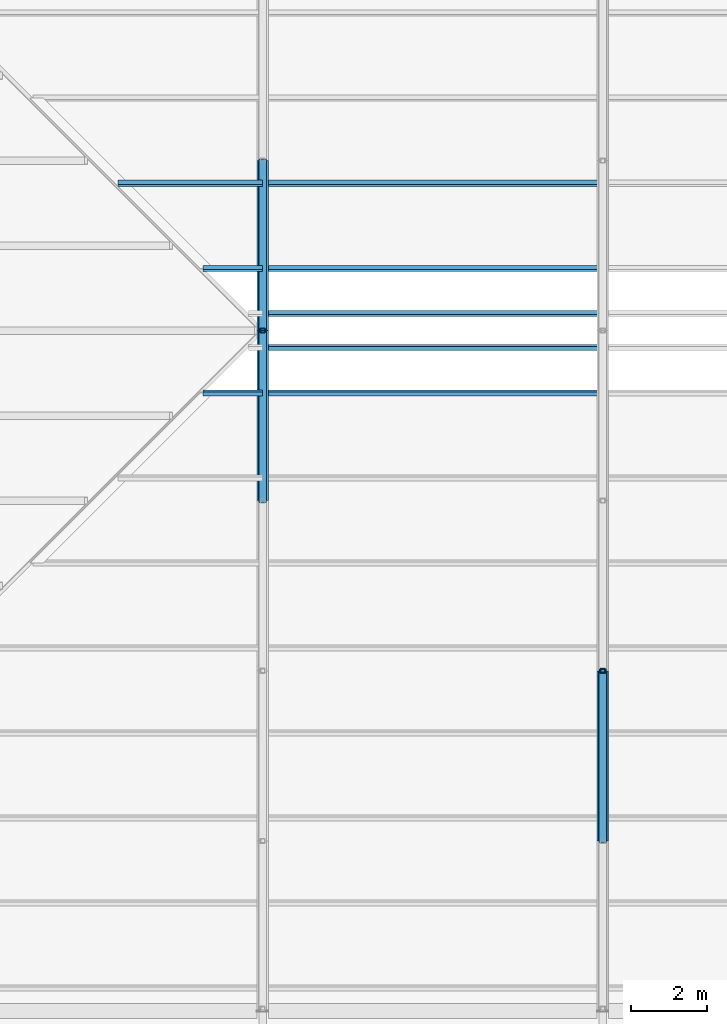
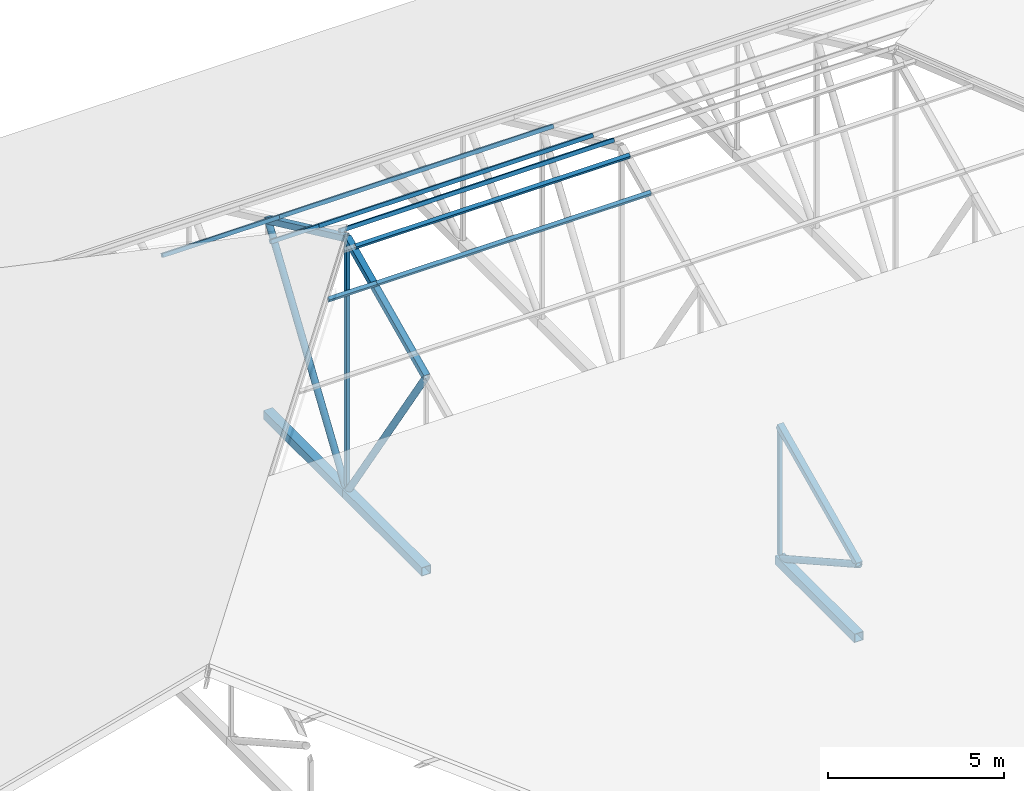
# One storey, part 63 of 154: 19 members.
"""IFC4 building model written with IfcOpenShell, lengths in metres."""

from ifc_helpers import new_model, si_unit, direction, frame, origin, origin_2d, place, context, subcontext, project, spatial, hollow_rectangle, hollow_circle, extrude, material, material_profile, profile_set, type_object, element, save


model = new_model("IFC4")

# Units and contexts
model_context = context("Model", 3, precision=1e-05, world=origin(), true_north=direction((0.0, 1.0)))
body_context = subcontext(model_context, "Body", "Model", "MODEL_VIEW")
ifc_project = project(units=[si_unit("LENGTHUNIT", "METRE"), si_unit("AREAUNIT", "SQUARE_METRE"), si_unit("VOLUMEUNIT", "CUBIC_METRE"), si_unit("PLANEANGLEUNIT", "RADIAN"), si_unit("MASSUNIT", "GRAM", prefix="KILO")], contexts=[model_context])

# Site, building, storey
site_placement = place(None, origin())
site = spatial("IfcSite", under=ifc_project, at=site_placement, CompositionType="ELEMENT")
building_placement = place(site_placement, origin())
building = spatial("IfcBuilding", under=site, at=building_placement, Name="Golden Quay Civic Hall", CompositionType="ELEMENT")
storey_placement = place(building_placement, frame((0.0, 0.0, 14.39990234375)))
storey = spatial("IfcBuildingStorey", under=building, at=storey_placement, Name="L03", CompositionType="ELEMENT", Elevation=14.39990234375)

# Members
ifc_material_1 = material(Name="Steel S355", Category="steel")
ifc_material_profile_1 = material_profile(ifc_material_1, hollow_rectangle(XDim=0.1201171875, YDim=0.1201171875, WallThickness=0.008056640625, at=origin_2d()), Name="SHS 120x120x8")
ifc_profile_set_1 = profile_set([ifc_material_profile_1], Name="Steel S355")
member_type_1 = type_object("IfcMemberType", Name="Steel roof purlin SHS 120x120x8", PredefinedType="PURLIN", material=ifc_profile_set_1)
member_1_placement = place(storey_placement, frame((133.425048828125, 79.35009765625, 8.128662109375), z_axis=(1.0, 0.0, 0.0), x_axis=(0.0, 0.906307787037, 0.422618261741)))
element("IfcMember", 1, at=member_1_placement, inside=storey, type_object=member_type_1, Name="Purlin south 9-1 L03", PredefinedType="PURLIN", context=body_context, shape_type="SweptSolid", body=[
    extrude(hollow_rectangle(XDim=0.1201171875, YDim=0.1201171875, WallThickness=0.008056640625, at=origin_2d()), origin(), (0.0, 0.0, 1.0), 1.574951171875),
])
for number, where, z_axis, x_axis, name in (
    (2, (135.0, 79.35009765625, 8.128662109375), (1.0, 0.0, 0.0), (0.0, 0.906307787037, 0.422618261741), "Purlin south 9-2 L03"),
    (3, (135.0, 80.550048828125, 8.688232421875), (1.0, 0.0, 0.0), (0.0, 0.906307787037, 0.422618261741), "Purlin south 10-2 L03"),
):
    element("IfcMember", number, at=place(storey_placement, frame(where, z_axis=z_axis, x_axis=x_axis)), inside=storey, type_object=member_type_1, Name=name, PredefinedType="PURLIN", context=body_context, shape_type="SweptSolid", body=[
        extrude(hollow_rectangle(XDim=0.1201171875, YDim=0.1201171875, WallThickness=0.008056640625, at=origin_2d()), origin(), (0.0, 0.0, 1.0), 9.0),
    ])
member_2_placement = place(storey_placement, frame((131.175048828125, 84.89990234375, 7.07958984375), z_axis=(1.0, 0.0, 0.0), x_axis=(0.0, 0.906307787037, -0.422618261741)))
element("IfcMember", 4, at=member_2_placement, inside=storey, type_object=member_type_1, Name="Purlin north 8-1 L03", PredefinedType="PURLIN", context=body_context, shape_type="SweptSolid", body=[
    extrude(hollow_rectangle(XDim=0.1201171875, YDim=0.1201171875, WallThickness=0.008056640625, at=origin_2d()), origin(), (0.0, 0.0, 1.0), 3.824951171875),
])
member_3_placement = place(storey_placement, frame((135.0, 84.89990234375, 7.07958984375), z_axis=(1.0, 0.0, 0.0), x_axis=(0.0, 0.906307787037, -0.422618261741)))
element("IfcMember", 5, at=member_3_placement, inside=storey, type_object=member_type_1, Name="Purlin north 8-2 L03", PredefinedType="PURLIN", context=body_context, shape_type="SweptSolid", body=[
    extrude(hollow_rectangle(XDim=0.1201171875, YDim=0.1201171875, WallThickness=0.008056640625, at=origin_2d()), origin(), (0.0, 0.0, 1.0), 9.0),
])
member_4_placement = place(storey_placement, frame((133.425048828125, 82.64990234375, 8.128662109375), z_axis=(1.0, 0.0, 0.0), x_axis=(0.0, 0.906307787037, -0.422618261741)))
element("IfcMember", 6, at=member_4_placement, inside=storey, type_object=member_type_1, Name="Purlin north 9-1 L03", PredefinedType="PURLIN", context=body_context, shape_type="SweptSolid", body=[
    extrude(hollow_rectangle(XDim=0.1201171875, YDim=0.1201171875, WallThickness=0.008056640625, at=origin_2d()), origin(), (0.0, 0.0, 1.0), 1.574951171875),
])
for number, where, z_axis, x_axis, name in (
    (7, (135.0, 82.64990234375, 8.128662109375), (1.0, 0.0, 0.0), (0.0, 0.906307787037, -0.422618261741), "Purlin north 9-2 L03"),
    (8, (135.0, 81.449951171875, 8.688232421875), (1.0, 0.0, 0.0), (0.0, 0.906307787037, -0.422618261741), "Purlin north 10-2 L03"),
):
    element("IfcMember", number, at=place(storey_placement, frame(where, z_axis=z_axis, x_axis=x_axis)), inside=storey, type_object=member_type_1, Name=name, PredefinedType="PURLIN", context=body_context, shape_type="SweptSolid", body=[
        extrude(hollow_rectangle(XDim=0.1201171875, YDim=0.1201171875, WallThickness=0.008056640625, at=origin_2d()), origin(), (0.0, 0.0, 1.0), 9.0),
    ])
ifc_material_2 = material(Name="Steel S355", Category="steel")
ifc_material_profile_2 = material_profile(ifc_material_2, hollow_rectangle(XDim=0.300048828125, YDim=0.300048828125, WallThickness=0.01611328125, at=origin_2d()), Name="SHS 300x300x16")
ifc_profile_set_2 = profile_set([ifc_material_profile_2], Name="Steel S355")
member_type_2 = type_object("IfcMemberType", Name="Steel truss bottom chord SHS 300x300x16", PredefinedType="USERDEFINED", material=ifc_profile_set_2)
for number, where, z_axis, x_axis, name in (
    (9, (135.0, 76.5, -0.099853515625), (0.0, 1.0, 0.0), (-1.0, 0.0, 0.0), "Truss 135 bottom chord 4 L03"),
    (10, (135.0, 81.0, -0.099853515625), (0.0, 1.0, 0.0), (-1.0, 0.0, 0.0), "Truss 135 bottom chord 5 L03"),
    (11, (144.0, 67.5, -0.099853515625), (0.0, 1.0, 0.0), (-1.0, 0.0, 0.0), "Truss 144 bottom chord 2 L03"),
):
    element("IfcMember", number, at=place(storey_placement, frame(where, z_axis=z_axis, x_axis=x_axis)), inside=storey, type_object=member_type_2, Name=name, ObjectType="TRUSS BOTTOM CHORD", PredefinedType="USERDEFINED", context=body_context, shape_type="SweptSolid", body=[
        extrude(hollow_rectangle(XDim=0.300048828125, YDim=0.300048828125, WallThickness=0.01611328125, at=origin_2d()), origin(), (0.0, 0.0, 1.0), 4.5),
    ])
ifc_material_3 = material(Name="Steel S355", Category="steel")
ifc_material_profile_3 = material_profile(ifc_material_3, hollow_circle(Radius=0.109619140625, WallThickness=0.010009765625, at=origin_2d()), Name="CHS 219.1x10")
ifc_profile_set_3 = profile_set([ifc_material_profile_3], Name="Steel S355")
member_type_3 = type_object("IfcMemberType", Name="Steel truss diagonal CHS 219.1x10", PredefinedType="BRACE", material=ifc_profile_set_3)
for number, where, z_axis, x_axis, name in (
    (12, (135.0, 76.5, 6.623291015625), (0.0, 0.556231343394, -0.8310274921), (-1.0, 0.0, 0.0), "Truss 135 diagonal 4 L03"),
    (13, (135.0, 81.0, -0.099853515625), (0.0, 0.556231343394, 0.8310274921), (-1.0, 0.0, 0.0), "Truss 135 diagonal 5 L03"),
):
    element("IfcMember", number, at=place(storey_placement, frame(where, z_axis=z_axis, x_axis=x_axis)), inside=storey, type_object=member_type_3, Name=name, PredefinedType="BRACE", context=body_context, shape_type="SweptSolid", body=[
        extrude(hollow_circle(Radius=0.109619140625, WallThickness=0.010009765625, at=origin_2d()), origin(), (0.0, 0.0, 1.0), 8.090087890625),
    ])
member_5_placement = place(storey_placement, frame((144.0, 67.5, 2.426513671875), z_axis=(0.0, 0.871979533951, -0.489542329499), x_axis=(-1.0, 0.0, 0.0)))
element("IfcMember", 14, at=member_5_placement, inside=storey, type_object=member_type_3, Name="Truss 144 diagonal 2 L03", PredefinedType="BRACE", context=body_context, shape_type="SweptSolid", body=[
    extrude(hollow_circle(Radius=0.109619140625, WallThickness=0.010009765625, at=origin_2d()), origin(), (0.0, 0.0, 1.0), 5.16064453125),
])
ifc_material_4 = material(Name="Steel S355", Category="steel")
ifc_material_profile_4 = material_profile(ifc_material_4, hollow_rectangle(XDim=0.1201171875, YDim=0.1201171875, WallThickness=0.008056640625, at=origin_2d()), Name="SHS 120x120x8")
ifc_profile_set_4 = profile_set([ifc_material_profile_4], Name="Steel S355")
member_type_4 = type_object("IfcMemberType", Name="Steel truss post SHS 120x120x8", PredefinedType="USERDEFINED", material=ifc_profile_set_4)
member_6_placement = place(storey_placement, frame((135.0, 81.0, 0.050048828125), z_axis=(0.0, 0.0, 1.0), x_axis=(1.0, 0.0, 0.0)))
element("IfcMember", 15, at=member_6_placement, inside=storey, type_object=member_type_4, Name="Truss 135 post 5 L03", ObjectType="TRUSS POST", PredefinedType="USERDEFINED", context=body_context, shape_type="SweptSolid", body=[
    extrude(hollow_rectangle(XDim=0.1201171875, YDim=0.1201171875, WallThickness=0.008056640625, at=origin_2d()), origin(), (0.0, 0.0, 1.0), 8.56103515625),
])
member_7_placement = place(storey_placement, frame((144.0, 72.0, 0.050048828125), z_axis=(0.0, 0.0, 1.0), x_axis=(1.0, 0.0, 0.0)))
element("IfcMember", 16, at=member_7_placement, inside=storey, type_object=member_type_4, Name="Truss 144 post 3 L03", ObjectType="TRUSS POST", PredefinedType="USERDEFINED", context=body_context, shape_type="SweptSolid", body=[
    extrude(hollow_rectangle(XDim=0.1201171875, YDim=0.1201171875, WallThickness=0.008056640625, at=origin_2d()), origin(), (0.0, 0.0, 1.0), 4.364501953125),
])
ifc_material_5 = material(Name="Steel S355", Category="steel")
ifc_material_profile_5 = material_profile(ifc_material_5, hollow_rectangle(XDim=0.199951171875, YDim=0.199951171875, WallThickness=0.010009765625, at=origin_2d()), Name="SHS 200x200x10")
ifc_profile_set_5 = profile_set([ifc_material_profile_5], Name="Steel S355")
member_type_5 = type_object("IfcMemberType", Name="Steel truss top chord SHS 200x200x10", PredefinedType="USERDEFINED", material=ifc_profile_set_5)
for number, where, z_axis, x_axis, name in (
    (17, (135.0, 76.5, 6.623291015625), (0.0, 0.906307462258, 0.422618958231), (-1.0, 0.0, 0.0), "Truss 135 top chord 5 L03"),
    (18, (135.0, 81.0, 8.7216796875), (0.0, 0.906307462258, -0.422618958231), (-1.0, 0.0, 0.0), "Truss 135 top chord 6 L03"),
    (19, (144.0, 67.5, 2.426513671875), (0.0, 0.906307462258, 0.422618958231), (-1.0, 0.0, 0.0), "Truss 144 top chord 3 L03"),
):
    element("IfcMember", number, at=place(storey_placement, frame(where, z_axis=z_axis, x_axis=x_axis)), inside=storey, type_object=member_type_5, Name=name, ObjectType="TRUSS TOP CHORD", PredefinedType="USERDEFINED", context=body_context, shape_type="SweptSolid", body=[
        extrude(hollow_rectangle(XDim=0.199951171875, YDim=0.199951171875, WallThickness=0.010009765625, at=origin_2d()), origin(), (0.0, 0.0, 1.0), 4.965087890625),
    ])

save(model, "model.ifc")
